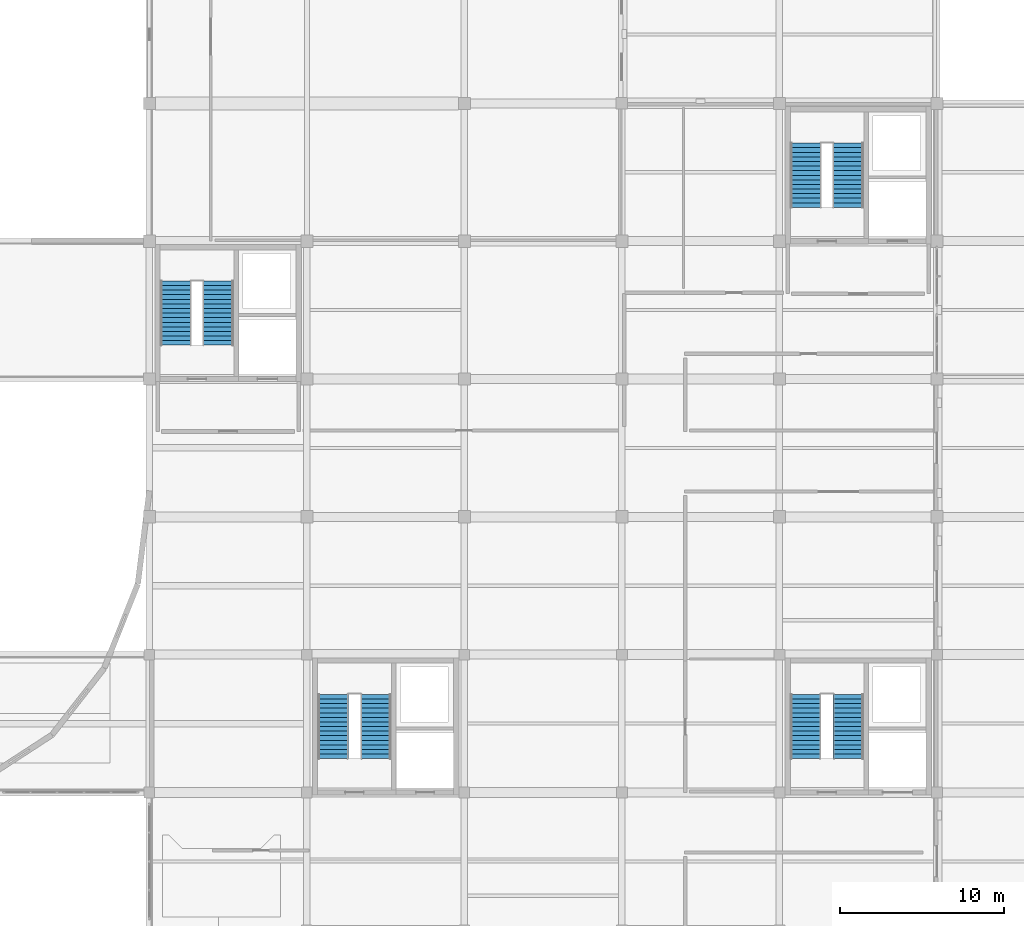
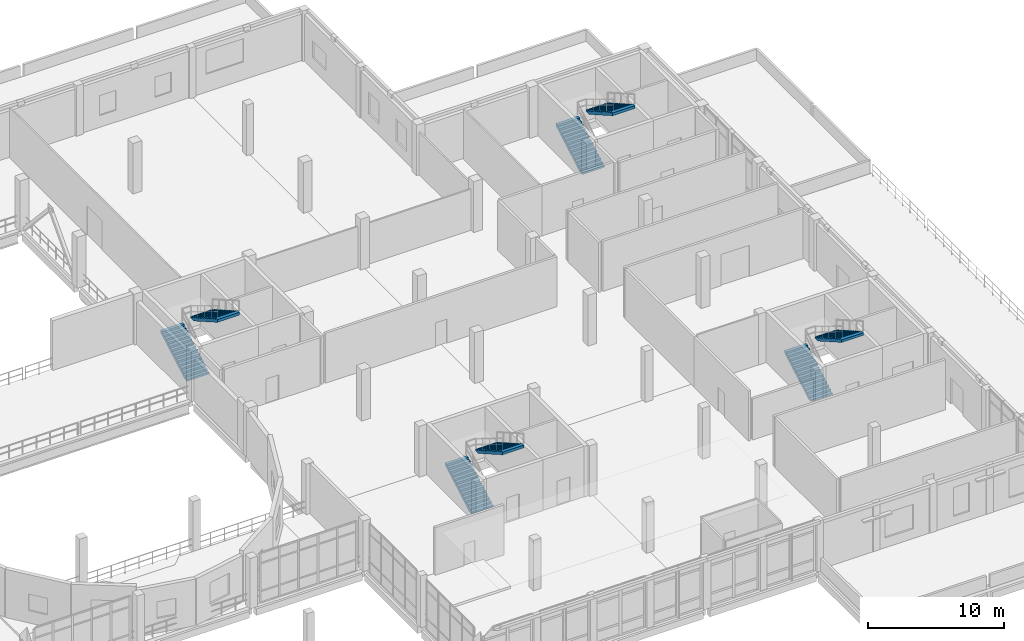
# One storey, part 81 of 88: 8 stair flights, 4 elements without a shape of their own.
"""IFC4 building model written with IfcOpenShell, lengths in metres."""

from ifc_helpers import new_model, si_unit, direction, frame, origin, place, context, subcontext, project, spatial, polyline, outline, extrude, material, layer, layer_set, type_object, element, aggregate, save


model = new_model("IFC4")

# Units and contexts
model_context = context("Model", 3, precision=1e-05, world=origin(), true_north=direction((0.0, 1.0)))
body_context = subcontext(model_context, "Body", "Model", "MODEL_VIEW")
ifc_project = project(units=[si_unit("LENGTHUNIT", "METRE"), si_unit("AREAUNIT", "SQUARE_METRE"), si_unit("VOLUMEUNIT", "CUBIC_METRE"), si_unit("PLANEANGLEUNIT", "RADIAN"), si_unit("MASSUNIT", "GRAM", prefix="KILO")], contexts=[model_context])

# Site, building, storey
site_placement = place(None, origin())
site = spatial("IfcSite", under=ifc_project, at=site_placement, CompositionType="ELEMENT")
building_placement = place(site_placement, origin())
building = spatial("IfcBuilding", under=site, at=building_placement, Name="Lornevale Opera House", CompositionType="ELEMENT")
storey_placement = place(building_placement, frame((0.0, 0.0, 10.199951171875)))
storey = spatial("IfcBuildingStorey", under=building, at=storey_placement, Name="L03", CompositionType="ELEMENT", Elevation=10.199951171875)

# Stair, stair flights
ifc_material = material(Name="Concrete 35 MPa (CSA A23.1 N)", Category="concrete")
ifc_layer_1 = layer(ifc_material, 4.800048828125)
ifc_layer_set_1 = layer_set([ifc_layer_1], Name="Concrete 35 MPa (CSA A23.1 N)")
stair_type_1 = type_object("IfcStairType", Name="Protected Exit Stair 4800-W1840", PredefinedType="TWO_STRAIGHT_RUN_STAIR", material=ifc_layer_set_1)
stair_1_placement = place(storey_placement, origin())
stair_1 = element("IfcStair", 1, at=stair_1_placement, inside=storey, type_object=stair_type_1, Name="South-East Foyer Core Stair ST-08 (L03-L04)", PredefinedType="TWO_STRAIGHT_RUN_STAIR")
ifc_layer_2 = layer(ifc_material, 0.199951171875)
ifc_layer_set_2 = layer_set([ifc_layer_2], Name="Concrete 35 MPa (CSA A23.1 N)")
stair_flight_type_1 = type_object("IfcStairFlightType", Name="Exit Stair Flight 15R-W1840", PredefinedType="STRAIGHT", material=ifc_layer_set_2)
stair_flight_1_placement = place(storey_placement, frame((107.199951171875, 35.659912109375, 0.0), z_axis=(0.0, 0.0, 1.0), x_axis=(0.0, 1.0, 0.0)))
stair_flight_1 = element("IfcStairFlight", 2, at=stair_flight_1_placement, type_object=stair_flight_type_1, Name="ST-08 Lower Flight SF-015", NumberOfRisers=15, NumberOfTreads=14, PredefinedType="STRAIGHT", RiserHeight=0.16, TreadLength=0.28, context=body_context, shape_type="SweptSolid", body=[
    extrude(outline(polyline([(0.0, 0.0), (0.0, 0.159912109375), (0.280029296875, 0.159912109375), (0.280029296875, 0.320068359375), (0.56005859375, 0.320068359375), (0.56005859375, 0.47998046875), (0.840087890625, 0.47998046875), (0.840087890625, 0.639892578125), (1.1201171875, 0.639892578125), (1.1201171875, 0.800048828125), (1.39990234375, 0.800048828125), (1.39990234375, 0.9599609375), (1.679931640625, 0.9599609375), (1.679931640625, 1.1201171875), (1.9599609375, 1.1201171875), (1.9599609375, 1.280029296875), (2.239990234375, 1.280029296875), (2.239990234375, 1.43994140625), (2.52001953125, 1.43994140625), (2.52001953125, 1.60009765625), (2.800048828125, 1.60009765625), (2.800048828125, 1.760009765625), (3.080078125, 1.760009765625), (3.080078125, 1.919921875), (3.360107421875, 1.919921875), (3.360107421875, 2.080078125), (3.639892578125, 2.080078125), (3.639892578125, 2.239990234375), (3.919921875, 2.239990234375), (3.919921875, 2.009765625), (0.403076171875, 0.0), (0.0, 0.0)])), frame((0.0, 0.919921875, 0.0), z_axis=(0.0, -1.0, 0.0), x_axis=(1.0, 0.0, 0.0)), (0.0, 0.0, 1.0), 1.840087890625),
])
stair_flight_2_placement = place(storey_placement, frame((109.800048828125, 39.580078125, 2.400146484375), z_axis=(0.0, 0.0, 1.0), x_axis=(0.0, -1.0, 0.0)))
stair_flight_2 = element("IfcStairFlight", 3, at=stair_flight_2_placement, type_object=stair_flight_type_1, Name="ST-08 Upper Flight SF-016", NumberOfRisers=15, NumberOfTreads=14, PredefinedType="STRAIGHT", RiserHeight=0.16, TreadLength=0.28, context=body_context, shape_type="SweptSolid", body=[
    extrude(outline(polyline([(0.0, 0.0), (0.0, 0.159912109375), (0.280029296875, 0.159912109375), (0.280029296875, 0.320068359375), (0.56005859375, 0.320068359375), (0.56005859375, 0.47998046875), (0.840087890625, 0.47998046875), (0.840087890625, 0.639892578125), (1.1201171875, 0.639892578125), (1.1201171875, 0.800048828125), (1.39990234375, 0.800048828125), (1.39990234375, 0.9599609375), (1.679931640625, 0.9599609375), (1.679931640625, 1.1201171875), (1.9599609375, 1.1201171875), (1.9599609375, 1.280029296875), (2.239990234375, 1.280029296875), (2.239990234375, 1.43994140625), (2.52001953125, 1.43994140625), (2.52001953125, 1.60009765625), (2.800048828125, 1.60009765625), (2.800048828125, 1.760009765625), (3.080078125, 1.760009765625), (3.080078125, 1.919921875), (3.360107421875, 1.919921875), (3.360107421875, 2.080078125), (3.639892578125, 2.080078125), (3.639892578125, 2.239990234375), (3.919921875, 2.239990234375), (3.919921875, 2.009765625), (0.403076171875, 0.0), (0.0, 0.0)])), frame((0.0, 0.919921875, 0.0), z_axis=(0.0, -1.0, 0.0), x_axis=(1.0, 0.0, 0.0)), (0.0, 0.0, 1.0), 1.840087890625),
])
aggregate(stair_1, [stair_flight_1, stair_flight_2])

stair_2_placement = place(storey_placement, origin())
stair_2 = element("IfcStair", 4, at=stair_2_placement, inside=storey, type_object=stair_type_1, Name="Backstage Service Lift Core Stair ST-39 (L03-L04)", PredefinedType="TWO_STRAIGHT_RUN_STAIR")
stair_flight_3_placement = place(storey_placement, frame((136.0, 35.659912109375, 0.0), z_axis=(0.0, 0.0, 1.0), x_axis=(0.0, 1.0, 0.0)))
stair_flight_3 = element("IfcStairFlight", 5, at=stair_flight_3_placement, type_object=stair_flight_type_1, Name="ST-39 Lower Flight SF-077", NumberOfRisers=15, NumberOfTreads=14, PredefinedType="STRAIGHT", RiserHeight=0.16, TreadLength=0.28, context=body_context, shape_type="SweptSolid", body=[
    extrude(outline(polyline([(0.0, 0.0), (0.0, 0.159912109375), (0.280029296875, 0.159912109375), (0.280029296875, 0.320068359375), (0.56005859375, 0.320068359375), (0.56005859375, 0.47998046875), (0.840087890625, 0.47998046875), (0.840087890625, 0.639892578125), (1.1201171875, 0.639892578125), (1.1201171875, 0.800048828125), (1.39990234375, 0.800048828125), (1.39990234375, 0.9599609375), (1.679931640625, 0.9599609375), (1.679931640625, 1.1201171875), (1.9599609375, 1.1201171875), (1.9599609375, 1.280029296875), (2.239990234375, 1.280029296875), (2.239990234375, 1.43994140625), (2.52001953125, 1.43994140625), (2.52001953125, 1.60009765625), (2.800048828125, 1.60009765625), (2.800048828125, 1.760009765625), (3.080078125, 1.760009765625), (3.080078125, 1.919921875), (3.360107421875, 1.919921875), (3.360107421875, 2.080078125), (3.639892578125, 2.080078125), (3.639892578125, 2.239990234375), (3.919921875, 2.239990234375), (3.919921875, 2.009765625), (0.403076171875, 0.0), (0.0, 0.0)])), frame((0.0, 0.919921875, 0.0), z_axis=(0.0, -1.0, 0.0), x_axis=(1.0, 0.0, 0.0)), (0.0, 0.0, 1.0), 1.840087890625),
])
stair_flight_4_placement = place(storey_placement, frame((138.60009765625, 39.580078125, 2.400146484375), z_axis=(0.0, 0.0, 1.0), x_axis=(0.0, -1.0, 0.0)))
stair_flight_4 = element("IfcStairFlight", 6, at=stair_flight_4_placement, type_object=stair_flight_type_1, Name="ST-39 Upper Flight SF-078", NumberOfRisers=15, NumberOfTreads=14, PredefinedType="STRAIGHT", RiserHeight=0.16, TreadLength=0.28, context=body_context, shape_type="SweptSolid", body=[
    extrude(outline(polyline([(0.0, 0.0), (0.0, 0.159912109375), (0.280029296875, 0.159912109375), (0.280029296875, 0.320068359375), (0.56005859375, 0.320068359375), (0.56005859375, 0.47998046875), (0.840087890625, 0.47998046875), (0.840087890625, 0.639892578125), (1.1201171875, 0.639892578125), (1.1201171875, 0.800048828125), (1.39990234375, 0.800048828125), (1.39990234375, 0.9599609375), (1.679931640625, 0.9599609375), (1.679931640625, 1.1201171875), (1.9599609375, 1.1201171875), (1.9599609375, 1.280029296875), (2.239990234375, 1.280029296875), (2.239990234375, 1.43994140625), (2.52001953125, 1.43994140625), (2.52001953125, 1.60009765625), (2.800048828125, 1.60009765625), (2.800048828125, 1.760009765625), (3.080078125, 1.760009765625), (3.080078125, 1.919921875), (3.360107421875, 1.919921875), (3.360107421875, 2.080078125), (3.639892578125, 2.080078125), (3.639892578125, 2.239990234375), (3.919921875, 2.239990234375), (3.919921875, 2.009765625), (0.403076171875, 0.0), (0.0, 0.0)])), frame((0.0, 0.919921875, 0.0), z_axis=(0.0, -1.0, 0.0), x_axis=(1.0, 0.0, 0.0)), (0.0, 0.0, 1.0), 1.840087890625),
])
aggregate(stair_2, [stair_flight_3, stair_flight_4])

ifc_layer_3 = layer(ifc_material, 4.800048828125)
ifc_layer_set_3 = layer_set([ifc_layer_3], Name="Concrete 35 MPa (CSA A23.1 N)")
stair_type_2 = type_object("IfcStairType", Name="Firefighter Core Stair 4800-W1880", PredefinedType="TWO_STRAIGHT_RUN_STAIR", material=ifc_layer_set_3)
stair_3_placement = place(storey_placement, origin())
stair_3 = element("IfcStair", 7, at=stair_3_placement, inside=storey, type_object=stair_type_2, Name="Stagehouse Firefighter Core West Stair ST-24 (L03-L04)", PredefinedType="TWO_STRAIGHT_RUN_STAIR")
ifc_layer_4 = layer(ifc_material, 0.219970703125)
ifc_layer_set_4 = layer_set([ifc_layer_4], Name="Concrete 35 MPa (CSA A23.1 N)")
stair_flight_type_2 = type_object("IfcStairFlightType", Name="Firefighter Flight 15R-W1880", PredefinedType="STRAIGHT", material=ifc_layer_set_4)
stair_flight_5_placement = place(storey_placement, frame((97.6201171875, 60.860107421875, 0.0), z_axis=(0.0, 0.0, 1.0), x_axis=(0.0, 1.0, 0.0)))
stair_flight_5 = element("IfcStairFlight", 8, at=stair_flight_5_placement, type_object=stair_flight_type_2, Name="ST-24 Lower Flight SF-047", NumberOfRisers=15, NumberOfTreads=14, PredefinedType="STRAIGHT", RiserHeight=0.16, TreadLength=0.28, context=body_context, shape_type="SweptSolid", body=[
    extrude(outline(polyline([(0.0, 0.0), (0.0, 0.159912109375), (0.280029296875, 0.159912109375), (0.280029296875, 0.320068359375), (0.56005859375, 0.320068359375), (0.56005859375, 0.47998046875), (0.840087890625, 0.47998046875), (0.840087890625, 0.639892578125), (1.1201171875, 0.639892578125), (1.1201171875, 0.800048828125), (1.39990234375, 0.800048828125), (1.39990234375, 0.9599609375), (1.679931640625, 0.9599609375), (1.679931640625, 1.1201171875), (1.9599609375, 1.1201171875), (1.9599609375, 1.280029296875), (2.239990234375, 1.280029296875), (2.239990234375, 1.43994140625), (2.52001953125, 1.43994140625), (2.52001953125, 1.60009765625), (2.800048828125, 1.60009765625), (2.800048828125, 1.760009765625), (3.080078125, 1.760009765625), (3.080078125, 1.919921875), (3.360107421875, 1.919921875), (3.360107421875, 2.080078125), (3.639892578125, 2.080078125), (3.639892578125, 2.239990234375), (3.919921875, 2.239990234375), (3.919921875, 1.986572265625), (0.443359375, 0.0), (0.0, 0.0)])), frame((0.0, 0.93994140625, 0.0), z_axis=(0.0, -1.0, 0.0), x_axis=(1.0, 0.0, 0.0)), (0.0, 0.0, 1.0), 1.8798828125),
])
stair_flight_6_placement = place(storey_placement, frame((100.179931640625, 64.780029296875, 2.400146484375), z_axis=(0.0, 0.0, 1.0), x_axis=(0.0, -1.0, 0.0)))
stair_flight_6 = element("IfcStairFlight", 9, at=stair_flight_6_placement, type_object=stair_flight_type_2, Name="ST-24 Upper Flight SF-048", NumberOfRisers=15, NumberOfTreads=14, PredefinedType="STRAIGHT", RiserHeight=0.16, TreadLength=0.28, context=body_context, shape_type="SweptSolid", body=[
    extrude(outline(polyline([(0.0, 0.0), (0.0, 0.159912109375), (0.280029296875, 0.159912109375), (0.280029296875, 0.320068359375), (0.56005859375, 0.320068359375), (0.56005859375, 0.47998046875), (0.840087890625, 0.47998046875), (0.840087890625, 0.639892578125), (1.1201171875, 0.639892578125), (1.1201171875, 0.800048828125), (1.39990234375, 0.800048828125), (1.39990234375, 0.9599609375), (1.679931640625, 0.9599609375), (1.679931640625, 1.1201171875), (1.9599609375, 1.1201171875), (1.9599609375, 1.280029296875), (2.239990234375, 1.280029296875), (2.239990234375, 1.43994140625), (2.52001953125, 1.43994140625), (2.52001953125, 1.60009765625), (2.800048828125, 1.60009765625), (2.800048828125, 1.760009765625), (3.080078125, 1.760009765625), (3.080078125, 1.919921875), (3.360107421875, 1.919921875), (3.360107421875, 2.080078125), (3.639892578125, 2.080078125), (3.639892578125, 2.239990234375), (3.919921875, 2.239990234375), (3.919921875, 1.986572265625), (0.443359375, 0.0), (0.0, 0.0)])), frame((0.0, 0.93994140625, 0.0), z_axis=(0.0, -1.0, 0.0), x_axis=(1.0, 0.0, 0.0)), (0.0, 0.0, 1.0), 1.8798828125),
])
aggregate(stair_3, [stair_flight_5, stair_flight_6])

stair_4_placement = place(storey_placement, origin())
stair_4 = element("IfcStair", 10, at=stair_4_placement, inside=storey, type_object=stair_type_2, Name="Backstage Firefighter Core East Stair ST-32 (L03-L04)", PredefinedType="TWO_STRAIGHT_RUN_STAIR")
stair_flight_7_placement = place(storey_placement, frame((136.02001953125, 69.260009765625, 0.0), z_axis=(0.0, 0.0, 1.0), x_axis=(0.0, 1.0, 0.0)))
stair_flight_7 = element("IfcStairFlight", 11, at=stair_flight_7_placement, type_object=stair_flight_type_2, Name="ST-32 Lower Flight SF-063", NumberOfRisers=15, NumberOfTreads=14, PredefinedType="STRAIGHT", RiserHeight=0.16, TreadLength=0.28, context=body_context, shape_type="SweptSolid", body=[
    extrude(outline(polyline([(0.0, 0.0), (0.0, 0.159912109375), (0.280029296875, 0.159912109375), (0.280029296875, 0.320068359375), (0.56005859375, 0.320068359375), (0.56005859375, 0.47998046875), (0.840087890625, 0.47998046875), (0.840087890625, 0.639892578125), (1.1201171875, 0.639892578125), (1.1201171875, 0.800048828125), (1.39990234375, 0.800048828125), (1.39990234375, 0.9599609375), (1.679931640625, 0.9599609375), (1.679931640625, 1.1201171875), (1.9599609375, 1.1201171875), (1.9599609375, 1.280029296875), (2.239990234375, 1.280029296875), (2.239990234375, 1.43994140625), (2.52001953125, 1.43994140625), (2.52001953125, 1.60009765625), (2.800048828125, 1.60009765625), (2.800048828125, 1.760009765625), (3.080078125, 1.760009765625), (3.080078125, 1.919921875), (3.360107421875, 1.919921875), (3.360107421875, 2.080078125), (3.639892578125, 2.080078125), (3.639892578125, 2.239990234375), (3.919921875, 2.239990234375), (3.919921875, 1.986572265625), (0.443359375, 0.0), (0.0, 0.0)])), frame((0.0, 0.93994140625, 0.0), z_axis=(0.0, -1.0, 0.0), x_axis=(1.0, 0.0, 0.0)), (0.0, 0.0, 1.0), 1.8798828125),
])
stair_flight_8_placement = place(storey_placement, frame((138.580078125, 73.179931640625, 2.400146484375), z_axis=(0.0, 0.0, 1.0), x_axis=(0.0, -1.0, 0.0)))
stair_flight_8 = element("IfcStairFlight", 12, at=stair_flight_8_placement, type_object=stair_flight_type_2, Name="ST-32 Upper Flight SF-064", NumberOfRisers=15, NumberOfTreads=14, PredefinedType="STRAIGHT", RiserHeight=0.16, TreadLength=0.28, context=body_context, shape_type="SweptSolid", body=[
    extrude(outline(polyline([(0.0, 0.0), (0.0, 0.159912109375), (0.280029296875, 0.159912109375), (0.280029296875, 0.320068359375), (0.56005859375, 0.320068359375), (0.56005859375, 0.47998046875), (0.840087890625, 0.47998046875), (0.840087890625, 0.639892578125), (1.1201171875, 0.639892578125), (1.1201171875, 0.800048828125), (1.39990234375, 0.800048828125), (1.39990234375, 0.9599609375), (1.679931640625, 0.9599609375), (1.679931640625, 1.1201171875), (1.9599609375, 1.1201171875), (1.9599609375, 1.280029296875), (2.239990234375, 1.280029296875), (2.239990234375, 1.43994140625), (2.52001953125, 1.43994140625), (2.52001953125, 1.60009765625), (2.800048828125, 1.60009765625), (2.800048828125, 1.760009765625), (3.080078125, 1.760009765625), (3.080078125, 1.919921875), (3.360107421875, 1.919921875), (3.360107421875, 2.080078125), (3.639892578125, 2.080078125), (3.639892578125, 2.239990234375), (3.919921875, 2.239990234375), (3.919921875, 1.986572265625), (0.443359375, 0.0), (0.0, 0.0)])), frame((0.0, 0.93994140625, 0.0), z_axis=(0.0, -1.0, 0.0), x_axis=(1.0, 0.0, 0.0)), (0.0, 0.0, 1.0), 1.8798828125),
])
aggregate(stair_4, [stair_flight_7, stair_flight_8])

save(model, "model.ifc")
